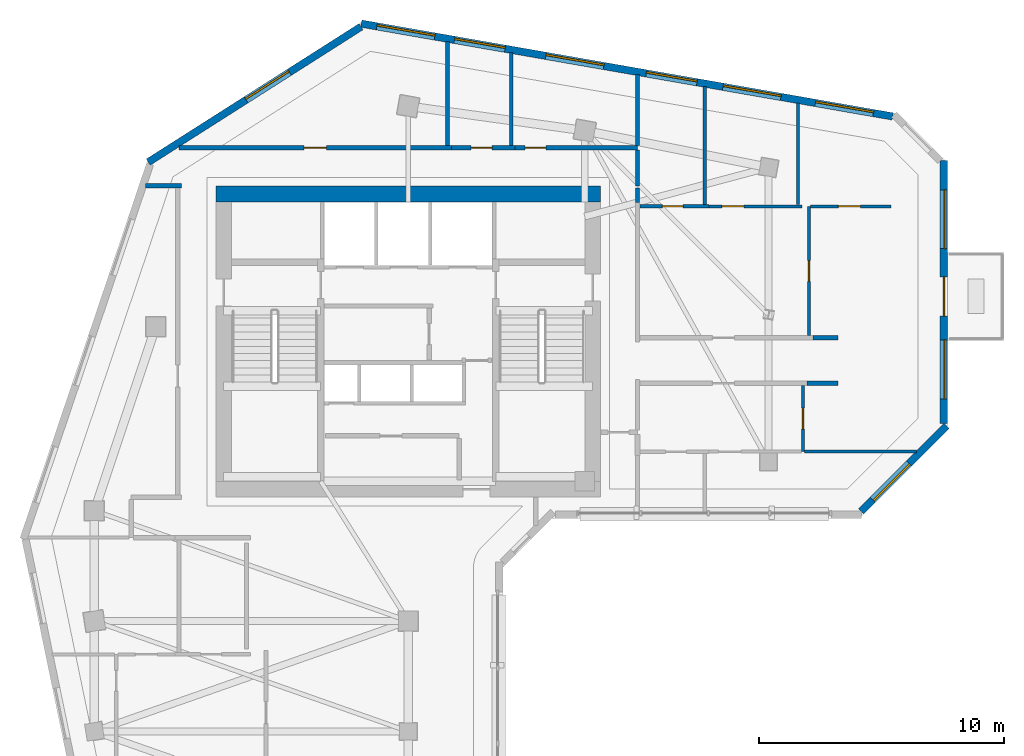
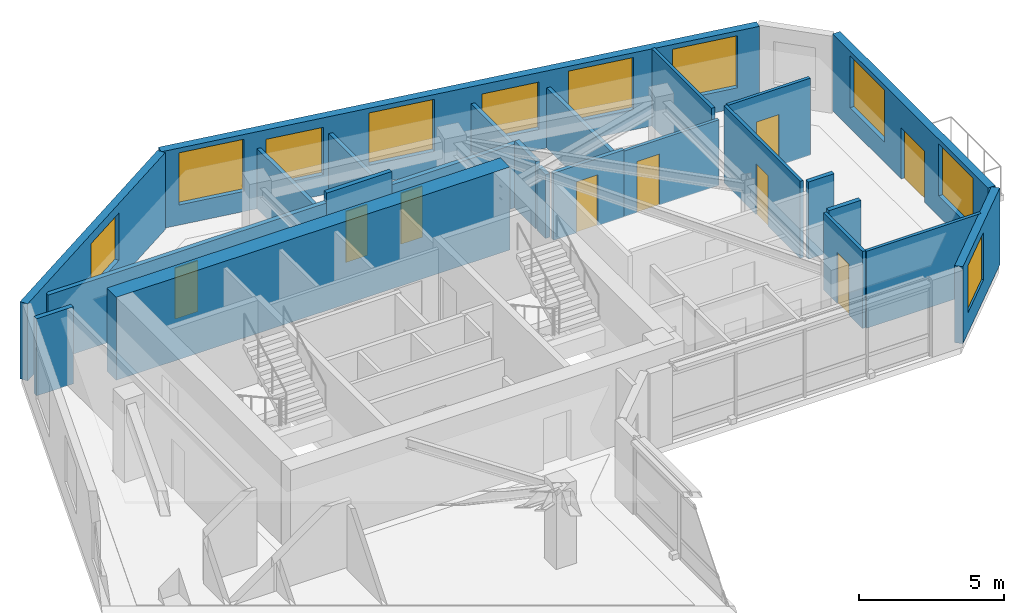
# One storey, part 6 of 10: 24 walls, 10 windows, 9 doors, 19 openings.
"""IFC4 building model written with IfcOpenShell, lengths in metres."""

from ifc_helpers import new_model, si_unit, direction, frame, frame_2d, origin, place, context, subcontext, project, spatial, rectangle, extrude, source, transform, mapped, material, layer, layer_set, type_object, element, fill, save


model = new_model("IFC4")

# Units and contexts
model_context = context("Model", 3, precision=1e-05, world=origin(), true_north=direction((0.0, 1.0)))
body_context = subcontext(model_context, "Body", "Model", "MODEL_VIEW")
ifc_project = project(units=[si_unit("LENGTHUNIT", "METRE"), si_unit("AREAUNIT", "SQUARE_METRE"), si_unit("VOLUMEUNIT", "CUBIC_METRE"), si_unit("PLANEANGLEUNIT", "RADIAN"), si_unit("MASSUNIT", "GRAM", prefix="KILO")], contexts=[model_context])

# Site, building, storey
site_placement = place(None, origin())
site = spatial("IfcSite", under=ifc_project, at=site_placement, CompositionType="ELEMENT")
building_placement = place(site_placement, origin())
building = spatial("IfcBuilding", under=site, at=building_placement, Name="Calvemar Wedge Station Tower", CompositionType="ELEMENT")
storey_placement = place(building_placement, frame((0.0, 0.0, 214.89990234375)))
storey = spatial("IfcBuildingStorey", under=building, at=storey_placement, Name="L54", CompositionType="ELEMENT", Elevation=214.89990234375)

# Walls
ifc_material_1 = material(Name="Concrete C60", Category="concrete")
ifc_layer_1 = layer(ifc_material_1, 0.64990234375)
ifc_layer_set_1 = layer_set([ifc_layer_1], Name="Concrete C60")
wall_type_1 = type_object("IfcWallType", Name="SW-CORE-650", PredefinedType="SHEAR", material=ifc_layer_set_1)
wall_1_placement = place(storey_placement, frame((15.949951171875, 45.925048828125, 0.0), z_axis=(0.0, 0.0, 1.0), x_axis=(1.0, 0.0, 0.0)))
element("IfcWall", 1, at=wall_1_placement, inside=storey, type_object=wall_type_1, Name="Storey L54 Core Shear Wall N", PredefinedType="SHEAR", context=body_context, shape_type="SweptSolid", body=[
    extrude(rectangle(XDim=15.699951171875, YDim=0.64990234375, at=frame_2d((7.85009765625, 0.0))), origin(), (0.0, 0.0, 1.0), 3.5),
])
ifc_material_2 = material(Name="Double-stud fire-rated corridor partition")
ifc_layer_2 = layer(ifc_material_2, 0.179931640625)
ifc_layer_set_2 = layer_set([ifc_layer_2], Name="Double-stud fire-rated corridor partition")
wall_type_2 = type_object("IfcWallType", Name="W-CORR-180", PredefinedType="PARTITIONING", material=ifc_layer_set_2)
wall_2_placement = place(storey_placement, frame((14.56005859375, 46.25, 0.0), z_axis=(0.0, 0.0, 1.0), x_axis=(-1.0, 0.0, 0.0)))
element("IfcWall", 2, at=wall_2_placement, inside=storey, type_object=wall_type_2, Name="Storey L54 Interior Partition WL-L54-012", PredefinedType="PARTITIONING", context=body_context, shape_type="SweptSolid", body=[
    extrude(rectangle(XDim=1.46875, YDim=0.179931640625, at=frame_2d((0.734375, 0.0))), origin(), (0.0, 0.0, 1.0), 3.25),
])

# Wall, opening, door
wall_3_placement = place(storey_placement, frame((14.45263671875, 47.800048828125, 0.0), z_axis=(0.0, 0.0, 1.0), x_axis=(1.0, 0.0, 0.0)))
wall_3 = element("IfcWall", 3, at=wall_3_placement, inside=storey, type_object=wall_type_2, Name="Storey L54 Interior Partition WL-L54-013", PredefinedType="PARTITIONING", context=body_context, shape_type="SweptSolid", body=[
    extrude(rectangle(XDim=11.107421875, YDim=0.179931640625, at=frame_2d((5.5537109375, 0.0))), origin(), (0.0, 0.0, 1.0), 2.835205078125),
])
shared_shape_1 = source(origin(), body_context, "Body", "SweptSolid", [
    extrude(rectangle(XDim=0.89990234375, YDim=2.14990234375, at=frame_2d((0.449951171875, 1.074951171875))), frame((0.0, 0.10009765625, 0.0), z_axis=(0.0, -1.0, 0.0), x_axis=(1.0, 0.0, 0.0)), (0.0, 0.0, 1.0), 0.199951171875),
])
opening_1_placement = place(wall_3_placement, frame((5.103759765625, 0.0, 0.0)))
opening_1 = element("IfcOpeningElement", 4, at=opening_1_placement, cuts=wall_3, Name="Opening D-01", PredefinedType="OPENING", context=body_context, shape_type="MappedRepresentation", body=[
    mapped(shared_shape_1, transform((0.0, 0.0, 0.0), scale=1.0)),
])
ifc_material_3 = material(Name="Architectural hardwood acoustic swing door", Category="wood")
door_type_1 = type_object("IfcDoorType", Name="DR-INT-900", OperationType="NOTDEFINED", PredefinedType="DOOR", material=ifc_material_3)
shared_shape_2 = source(origin(), body_context, "Body", "SweptSolid", [
    extrude(rectangle(XDim=0.89990234375, YDim=2.14990234375, at=frame_2d((0.449951171875, 1.074951171875))), frame((0.0, 0.02490234375, 0.0), z_axis=(0.0, -1.0, 0.0), x_axis=(1.0, 0.0, 0.0)), (0.0, 0.0, 1.0), 0.050048828125),
])
door_1_placement = place(opening_1_placement, origin())
door_1 = element("IfcDoor", 5, at=door_1_placement, inside=storey, type_object=door_type_1, Name="L54 Library Lounge Door", OperationType="SINGLE_SWING_LEFT", OverallHeight=2.14990234375, OverallWidth=0.89990234375, PredefinedType="DOOR", context=body_context, shape_type="MappedRepresentation", body=[
    mapped(shared_shape_2, transform((0.0, 0.0, 0.0), scale=1.0)),
])
fill(opening_1, door_1)

wall_4_placement = place(storey_placement, frame((25.56201171875, 47.800048828125, 0.0), z_axis=(0.0, 0.0, 1.0), x_axis=(1.0, 0.0, 0.0)))
wall_4 = element("IfcWall", 6, at=wall_4_placement, inside=storey, type_object=wall_type_2, Name="Storey L54 Interior Partition WL-L54-014", PredefinedType="PARTITIONING", context=body_context, shape_type="SweptSolid", body=[
    extrude(rectangle(XDim=2.597900390625, YDim=0.179931640625, at=frame_2d((1.298828125, 0.0))), origin(), (0.0, 0.0, 1.0), 3.25),
])
shared_shape_3 = source(origin(), body_context, "Body", "SweptSolid", [
    extrude(rectangle(XDim=0.85009765625, YDim=2.14990234375, at=frame_2d((0.425048828125, 1.074951171875))), frame((0.0, 0.10009765625, 0.0), z_axis=(0.0, -1.0, 0.0), x_axis=(1.0, 0.0, 0.0)), (0.0, 0.0, 1.0), 0.199951171875),
])
opening_2_placement = place(wall_4_placement, frame((0.80810546875, 0.0, 0.0)))
opening_2 = element("IfcOpeningElement", 7, at=opening_2_placement, cuts=wall_4, Name="Opening D-02", PredefinedType="OPENING", context=body_context, shape_type="MappedRepresentation", body=[
    mapped(shared_shape_3, transform((0.0, 0.0, 0.0), scale=1.0)),
])
ifc_material_4 = material(Name="Moisture-sealed bathroom hardwood swing door", Category="wood")
door_type_2 = type_object("IfcDoorType", Name="DR-WET-850", OperationType="NOTDEFINED", PredefinedType="DOOR", material=ifc_material_4)
shared_shape_4 = source(origin(), body_context, "Body", "SweptSolid", [
    extrude(rectangle(XDim=0.85009765625, YDim=2.14990234375, at=frame_2d((0.425048828125, 1.074951171875))), frame((0.0, 0.02490234375, 0.0), z_axis=(0.0, -1.0, 0.0), x_axis=(1.0, 0.0, 0.0)), (0.0, 0.0, 1.0), 0.050048828125),
])
door_2_placement = place(opening_2_placement, origin())
door_2 = element("IfcDoor", 8, at=door_2_placement, inside=storey, type_object=door_type_2, Name="L54 Accessible WC Door", OperationType="SINGLE_SWING_RIGHT", OverallHeight=2.14990234375, OverallWidth=0.85009765625, PredefinedType="DOOR", context=body_context, shape_type="MappedRepresentation", body=[
    mapped(shared_shape_4, transform((0.0, 0.0, 0.0), scale=1.0)),
])
fill(opening_2, door_2)

wall_5_placement = place(storey_placement, frame((28.162109375, 47.800048828125, 0.0), z_axis=(0.0, 0.0, 1.0), x_axis=(1.0, 0.0, 0.0)))
wall_5 = element("IfcWall", 9, at=wall_5_placement, inside=storey, type_object=wall_type_2, Name="Storey L54 Interior Partition WL-L54-015", PredefinedType="PARTITIONING", context=body_context, shape_type="SweptSolid", body=[
    extrude(rectangle(XDim=4.98779296875, YDim=0.179931640625, at=frame_2d((2.493896484375, 0.0))), origin(), (0.0, 0.0, 1.0), 2.68798828125),
])
opening_3_placement = place(wall_5_placement, frame((0.4033203125, 0.0, 0.0)))
opening_3 = element("IfcOpeningElement", 10, at=opening_3_placement, cuts=wall_5, Name="Opening D-02", PredefinedType="OPENING", context=body_context, shape_type="MappedRepresentation", body=[
    mapped(shared_shape_3, transform((0.0, 0.0, 0.0), scale=1.0)),
])
door_3_placement = place(opening_3_placement, origin())
door_3 = element("IfcDoor", 11, at=door_3_placement, inside=storey, type_object=door_type_2, Name="L54 Storage Room Door", OperationType="SINGLE_SWING_LEFT", OverallHeight=2.14990234375, OverallWidth=0.85009765625, PredefinedType="DOOR", context=body_context, shape_type="MappedRepresentation", body=[
    mapped(shared_shape_4, transform((0.0, 0.0, 0.0), scale=1.0)),
])
fill(opening_3, door_3)

# Walls
wall_6_placement = place(storey_placement, frame((33.14990234375, 47.7060546875, 0.0), z_axis=(0.0, 0.0, 1.0), x_axis=(0.0, -1.0, 0.0)))
element("IfcWall", 12, at=wall_6_placement, inside=storey, type_object=wall_type_2, Name="Storey L54 Interior Partition WL-L54-016", PredefinedType="PARTITIONING", context=body_context, shape_type="SweptSolid", body=[
    extrude(rectangle(XDim=1.4560546875, YDim=0.179931640625, at=frame_2d((0.72802734375, 0.0))), origin(), (0.0, 0.0, 1.0), 2.835205078125),
])
wall_7_placement = place(storey_placement, frame((33.14990234375, 46.156005859375, 0.0), z_axis=(0.0, 0.0, 1.0), x_axis=(0.0, -1.0, 0.0)))
element("IfcWall", 13, at=wall_7_placement, inside=storey, type_object=wall_type_2, Name="Storey L54 Interior Partition WL-L54-019", PredefinedType="PARTITIONING", context=body_context, shape_type="SweptSolid", body=[
    extrude(rectangle(XDim=0.576904296875, YDim=0.179931640625, at=frame_2d((0.28857421875, 0.0))), origin(), (0.0, 0.0, 1.0), 2.68798828125),
])
wall_8_placement = place(storey_placement, frame((40.30810546875, 40.050048828125, 0.0), z_axis=(0.0, 0.0, 1.0), x_axis=(1.0, 0.0, 0.0)))
element("IfcWall", 14, at=wall_8_placement, inside=storey, type_object=wall_type_2, Name="Storey L54 Interior Partition WL-L54-026", PredefinedType="PARTITIONING", context=body_context, shape_type="SweptSolid", body=[
    extrude(rectangle(XDim=1.02685546875, YDim=0.179931640625, at=frame_2d((0.513427734375, 0.0))), origin(), (0.0, 0.0, 1.0), 3.25),
])
wall_9_placement = place(storey_placement, frame((41.3349609375, 38.199951171875, 0.0), z_axis=(0.0, 0.0, 1.0), x_axis=(-1.0, 0.0, 0.0)))
element("IfcWall", 15, at=wall_9_placement, inside=storey, type_object=wall_type_2, Name="Storey L54 Interior Partition WL-L54-028", PredefinedType="PARTITIONING", context=body_context, shape_type="SweptSolid", body=[
    extrude(rectangle(XDim=1.27294921875, YDim=0.179931640625, at=frame_2d((0.636474609375, 0.0))), origin(), (0.0, 0.0, 1.0), 3.25),
])

# Wall, opening, window
ifc_material_5 = material(Name="Precast concrete C45", Category="concrete")
ifc_layer_3 = layer(ifc_material_5, 0.300048828125)
ifc_layer_set_3 = layer_set([ifc_layer_3], Name="Precast concrete C45")
wall_type_3 = type_object("IfcWallType", Name="W-EXT-GFRC-300", PredefinedType="SOLIDWALL", material=ifc_layer_set_3)
wall_10_placement = place(storey_placement, frame((42.27587890625, 32.97998046875, 0.0), z_axis=(0.0, 0.0, 1.0), x_axis=(0.707106781187, 0.707106781187, 0.0)))
wall_10 = element("IfcWall", 16, at=wall_10_placement, inside=storey, type_object=wall_type_3, Name="Storey L54 Bronze GFRC Exterior Wall 7", PredefinedType="SOLIDWALL", context=body_context, shape_type="SweptSolid", body=[
    extrude(rectangle(XDim=4.921875, YDim=0.300048828125, at=frame_2d((2.4609375, 0.0))), origin(), (0.0, 0.0, 1.0), 3.25),
])
shared_shape_5 = source(origin(), body_context, "Body", "SweptSolid", [
    extrude(rectangle(XDim=2.10009765625, YDim=2.0, at=frame_2d((1.050048828125, 1.0))), frame((0.0, 0.16015625, 0.0), z_axis=(0.0, -1.0, 0.0), x_axis=(1.0, 0.0, 0.0)), (0.0, 0.0, 1.0), 0.320068359375),
])
opening_4_placement = place(wall_10_placement, frame((0.658935546875, 0.0, 0.85009765625)))
opening_4 = element("IfcOpeningElement", 17, at=opening_4_placement, cuts=wall_10, Name="Opening W4", PredefinedType="OPENING", context=body_context, shape_type="MappedRepresentation", body=[
    mapped(shared_shape_5, transform((0.0, 0.0, 0.0), scale=1.0)),
])
ifc_material_6 = material(Name="Low-E laminated insulated glass", Category="glass")
window_type_1 = type_object("IfcWindowType", Name="WIN-EXT-4", PartitioningType="SINGLE_PANEL", PredefinedType="WINDOW", material=ifc_material_6)
shared_shape_6 = source(origin(), body_context, "Body", "SweptSolid", [
    extrude(rectangle(XDim=2.10009765625, YDim=2.0, at=frame_2d((1.050048828125, 1.0))), frame((0.0, -0.014892578125, 0.0), z_axis=(0.0, -1.0, 0.0), x_axis=(1.0, 0.0, 0.0)), (0.0, 0.0, 1.0), 0.06005859375),
])
window_1_placement = place(opening_4_placement, origin())
window_1 = element("IfcWindow", 18, at=window_1_placement, inside=storey, type_object=window_type_1, Name="Storey L54 Recessed Window 7.1", OverallHeight=2.0, OverallWidth=2.10009765625, PartitioningType="SINGLE_PANEL", PredefinedType="WINDOW", context=body_context, shape_type="MappedRepresentation", body=[
    mapped(shared_shape_6, transform((0.0, 0.0, 0.0), scale=1.0)),
])
fill(opening_4, window_1)

# Wall, openings, windows, door
wall_11_placement = place(storey_placement, frame((45.64990234375, 36.54931640625, 0.0), z_axis=(0.0, 0.0, 1.0), x_axis=(0.0, 1.0, 0.0)))
wall_11 = element("IfcWall", 19, at=wall_11_placement, inside=storey, type_object=wall_type_3, Name="Storey L54 Bronze GFRC Exterior Wall 8", PredefinedType="SOLIDWALL", context=body_context, shape_type="SweptSolid", body=[
    extrude(rectangle(XDim=10.73046875, YDim=0.300048828125, at=frame_2d((5.365234375, 0.0))), origin(), (0.0, 0.0, 1.0), 3.25),
])
shared_shape_7 = source(origin(), body_context, "Body", "SweptSolid", [
    extrude(rectangle(XDim=1.60009765625, YDim=2.14990234375, at=frame_2d((0.800048828125, 1.074951171875))), frame((0.0, 0.16015625, 0.0), z_axis=(0.0, -1.0, 0.0), x_axis=(1.0, 0.0, 0.0)), (0.0, 0.0, 1.0), 0.320068359375),
])
opening_5_placement = place(wall_11_placement, frame((4.39306640625, 0.0, 0.0)))
opening_5 = element("IfcOpeningElement", 20, at=opening_5_placement, cuts=wall_11, Name="Opening DT1", PredefinedType="OPENING", context=body_context, shape_type="MappedRepresentation", body=[
    mapped(shared_shape_7, transform((0.0, 0.0, 0.0), scale=1.0)),
])
shared_shape_8 = source(origin(), body_context, "Body", "SweptSolid", [
    extrude(rectangle(XDim=2.39990234375, YDim=2.199951171875, at=frame_2d((1.199951171875, 1.10009765625))), frame((0.0, 0.16015625, 0.0), z_axis=(0.0, -1.0, 0.0), x_axis=(1.0, 0.0, 0.0)), (0.0, 0.0, 1.0), 0.320068359375),
])
opening_6_placement = place(wall_11_placement, frame((1.01611328125, 0.0, 0.85009765625)))
opening_6 = element("IfcOpeningElement", 21, at=opening_6_placement, cuts=wall_11, Name="Opening W1", PredefinedType="OPENING", context=body_context, shape_type="MappedRepresentation", body=[
    mapped(shared_shape_8, transform((0.0, 0.0, 0.0), scale=1.0)),
])
opening_7_placement = place(wall_11_placement, frame((7.14208984375, 0.0, 0.85009765625)))
opening_7 = element("IfcOpeningElement", 22, at=opening_7_placement, cuts=wall_11, Name="Opening W1", PredefinedType="OPENING", context=body_context, shape_type="MappedRepresentation", body=[
    mapped(shared_shape_8, transform((0.0, 0.0, 0.0), scale=1.0)),
])
window_type_2 = type_object("IfcWindowType", Name="WIN-EXT-1", PartitioningType="SINGLE_PANEL", PredefinedType="WINDOW", material=ifc_material_6)
shared_shape_9 = source(origin(), body_context, "Body", "SweptSolid", [
    extrude(rectangle(XDim=2.39990234375, YDim=2.199951171875, at=frame_2d((1.199951171875, 1.10009765625))), frame((0.0, -0.014892578125, 0.0), z_axis=(0.0, -1.0, 0.0), x_axis=(1.0, 0.0, 0.0)), (0.0, 0.0, 1.0), 0.06005859375),
])
window_2_placement = place(opening_6_placement, origin())
window_2 = element("IfcWindow", 23, at=window_2_placement, inside=storey, type_object=window_type_2, Name="Storey L54 Recessed Window 8.1", OverallHeight=2.199951171875, OverallWidth=2.39990234375, PartitioningType="SINGLE_PANEL", PredefinedType="WINDOW", context=body_context, shape_type="MappedRepresentation", body=[
    mapped(shared_shape_9, transform((0.0, 0.0, 0.0), scale=1.0)),
])
fill(opening_6, window_2)
window_3_placement = place(opening_7_placement, origin())
window_3 = element("IfcWindow", 24, at=window_3_placement, inside=storey, type_object=window_type_2, Name="Storey L54 Recessed Window 8.2", OverallHeight=2.199951171875, OverallWidth=2.39990234375, PartitioningType="SINGLE_PANEL", PredefinedType="WINDOW", context=body_context, shape_type="MappedRepresentation", body=[
    mapped(shared_shape_9, transform((0.0, 0.0, 0.0), scale=1.0)),
])
fill(opening_7, window_3)
ifc_material_7 = material(Name="Anodised aluminium 6063-T6", Category="aluminium")
door_type_3 = type_object("IfcDoorType", Name="DR-TERR-1600", OperationType="DOUBLE_DOOR_SLIDING", PredefinedType="DOOR", material=ifc_material_7)
shared_shape_10 = source(origin(), body_context, "Body", "SweptSolid", [
    extrude(rectangle(XDim=1.60009765625, YDim=2.14990234375, at=frame_2d((0.800048828125, 1.074951171875))), frame((0.0, 0.02490234375, 0.0), z_axis=(0.0, -1.0, 0.0), x_axis=(1.0, 0.0, 0.0)), (0.0, 0.0, 1.0), 0.050048828125),
])
door_4_placement = place(opening_5_placement, origin())
door_4 = element("IfcDoor", 25, at=door_4_placement, inside=storey, type_object=door_type_3, Name="Storey L54 Spiral Terrace Door", OperationType="DOUBLE_DOOR_SLIDING", OverallHeight=2.14990234375, OverallWidth=1.60009765625, PredefinedType="DOOR", context=body_context, shape_type="MappedRepresentation", body=[
    mapped(shared_shape_10, transform((0.0, 0.0, 0.0), scale=1.0)),
])
fill(opening_5, door_4)

# Wall, openings, windows
wall_12_placement = place(storey_placement, frame((43.561279296875, 49.081298828125, 0.0), z_axis=(0.0, 0.0, 1.0), x_axis=(-0.985083967494, 0.17207433564, 0.0)))
wall_12 = element("IfcWall", 26, at=wall_12_placement, inside=storey, type_object=wall_type_3, Name="Storey L54 Bronze GFRC Exterior Wall 10", PredefinedType="SOLIDWALL", context=body_context, shape_type="SweptSolid", body=[
    extrude(rectangle(XDim=22.005615234375, YDim=0.300048828125, at=frame_2d((11.0029296875, 0.0))), origin(), (0.0, 0.0, 1.0), 3.25),
])
opening_8_placement = place(wall_12_placement, frame((0.800048828125, 0.0, 0.85009765625)))
opening_8 = element("IfcOpeningElement", 27, at=opening_8_placement, cuts=wall_12, Name="Opening W1", PredefinedType="OPENING", context=body_context, shape_type="MappedRepresentation", body=[
    mapped(shared_shape_8, transform((0.0, 0.0, 0.0), scale=1.0)),
])
opening_9_placement = place(wall_12_placement, frame((4.6279296875, 0.0, 0.85009765625)))
opening_9 = element("IfcOpeningElement", 28, at=opening_9_placement, cuts=wall_12, Name="Opening W1", PredefinedType="OPENING", context=body_context, shape_type="MappedRepresentation", body=[
    mapped(shared_shape_8, transform((0.0, 0.0, 0.0), scale=1.0)),
])
opening_10_placement = place(wall_12_placement, frame((8.10302734375, 0.0, 0.85009765625)))
opening_10 = element("IfcOpeningElement", 29, at=opening_10_placement, cuts=wall_12, Name="Opening W4", PredefinedType="OPENING", context=body_context, shape_type="MappedRepresentation", body=[
    mapped(shared_shape_5, transform((0.0, 0.0, 0.0), scale=1.0)),
])
opening_11_placement = place(wall_12_placement, frame((11.962890625, 0.0, 0.85009765625)))
opening_11 = element("IfcOpeningElement", 30, at=opening_11_placement, cuts=wall_12, Name="Opening W1", PredefinedType="OPENING", context=body_context, shape_type="MappedRepresentation", body=[
    mapped(shared_shape_8, transform((0.0, 0.0, 0.0), scale=1.0)),
])
opening_12_placement = place(wall_12_placement, frame((16.047119140625, 0.0, 0.85009765625)))
opening_12 = element("IfcOpeningElement", 31, at=opening_12_placement, cuts=wall_12, Name="Opening W4", PredefinedType="OPENING", context=body_context, shape_type="MappedRepresentation", body=[
    mapped(shared_shape_5, transform((0.0, 0.0, 0.0), scale=1.0)),
])
opening_13_placement = place(wall_12_placement, frame((18.9609375, 0.0, 0.85009765625)))
opening_13 = element("IfcOpeningElement", 32, at=opening_13_placement, cuts=wall_12, Name="Opening W1", PredefinedType="OPENING", context=body_context, shape_type="MappedRepresentation", body=[
    mapped(shared_shape_8, transform((0.0, 0.0, 0.0), scale=1.0)),
])
window_4_placement = place(opening_10_placement, origin())
window_4 = element("IfcWindow", 33, at=window_4_placement, inside=storey, type_object=window_type_1, Name="Storey L54 Recessed Window 10.3", OverallHeight=2.0, OverallWidth=2.10009765625, PartitioningType="SINGLE_PANEL", PredefinedType="WINDOW", context=body_context, shape_type="MappedRepresentation", body=[
    mapped(shared_shape_6, transform((0.0, 0.0, 0.0), scale=1.0)),
])
fill(opening_10, window_4)
window_5_placement = place(opening_12_placement, origin())
window_5 = element("IfcWindow", 34, at=window_5_placement, inside=storey, type_object=window_type_1, Name="Storey L54 Recessed Window 10.5", OverallHeight=2.0, OverallWidth=2.10009765625, PartitioningType="SINGLE_PANEL", PredefinedType="WINDOW", context=body_context, shape_type="MappedRepresentation", body=[
    mapped(shared_shape_6, transform((0.0, 0.0, 0.0), scale=1.0)),
])
fill(opening_12, window_5)
window_6_placement = place(opening_8_placement, origin())
window_6 = element("IfcWindow", 35, at=window_6_placement, inside=storey, type_object=window_type_2, Name="Storey L54 Recessed Window 10.1", OverallHeight=2.199951171875, OverallWidth=2.39990234375, PartitioningType="SINGLE_PANEL", PredefinedType="WINDOW", context=body_context, shape_type="MappedRepresentation", body=[
    mapped(shared_shape_9, transform((0.0, 0.0, 0.0), scale=1.0)),
])
fill(opening_8, window_6)
window_7_placement = place(opening_9_placement, origin())
window_7 = element("IfcWindow", 36, at=window_7_placement, inside=storey, type_object=window_type_2, Name="Storey L54 Recessed Window 10.2", OverallHeight=2.199951171875, OverallWidth=2.39990234375, PartitioningType="SINGLE_PANEL", PredefinedType="WINDOW", context=body_context, shape_type="MappedRepresentation", body=[
    mapped(shared_shape_9, transform((0.0, 0.0, 0.0), scale=1.0)),
])
fill(opening_9, window_7)
window_8_placement = place(opening_11_placement, origin())
window_8 = element("IfcWindow", 37, at=window_8_placement, inside=storey, type_object=window_type_2, Name="Storey L54 Recessed Window 10.4", OverallHeight=2.199951171875, OverallWidth=2.39990234375, PartitioningType="SINGLE_PANEL", PredefinedType="WINDOW", context=body_context, shape_type="MappedRepresentation", body=[
    mapped(shared_shape_9, transform((0.0, 0.0, 0.0), scale=1.0)),
])
fill(opening_11, window_8)
window_9_placement = place(opening_13_placement, origin())
window_9 = element("IfcWindow", 38, at=window_9_placement, inside=storey, type_object=window_type_2, Name="Storey L54 Recessed Window 10.6", OverallHeight=2.199951171875, OverallWidth=2.39990234375, PartitioningType="SINGLE_PANEL", PredefinedType="WINDOW", context=body_context, shape_type="MappedRepresentation", body=[
    mapped(shared_shape_9, transform((0.0, 0.0, 0.0), scale=1.0)),
])
fill(opening_13, window_9)

# Wall, opening, window
wall_13_placement = place(storey_placement, frame((21.873779296875, 52.741943359375, 0.0), z_axis=(0.0, 0.0, 1.0), x_axis=(-0.84365659959, -0.536883173482, 0.0)))
wall_13 = element("IfcWall", 39, at=wall_13_placement, inside=storey, type_object=wall_type_3, Name="Storey L54 Bronze GFRC Exterior Wall 11", PredefinedType="SOLIDWALL", context=body_context, shape_type="SweptSolid", body=[
    extrude(rectangle(XDim=10.282958984375, YDim=0.300048828125, at=frame_2d((5.1416015625, 0.0))), origin(), (0.0, 0.0, 1.0), 3.25),
])
opening_14_placement = place(wall_13_placement, frame((3.45703125, 0.0, 0.85009765625)))
opening_14 = element("IfcOpeningElement", 40, at=opening_14_placement, cuts=wall_13, Name="Opening W4", PredefinedType="OPENING", context=body_context, shape_type="MappedRepresentation", body=[
    mapped(shared_shape_5, transform((0.0, 0.0, 0.0), scale=1.0)),
])
window_10_placement = place(opening_14_placement, origin())
window_10 = element("IfcWindow", 41, at=window_10_placement, inside=storey, type_object=window_type_1, Name="Storey L54 Recessed Window 11.1", OverallHeight=2.0, OverallWidth=2.10009765625, PartitioningType="SINGLE_PANEL", PredefinedType="WINDOW", context=body_context, shape_type="MappedRepresentation", body=[
    mapped(shared_shape_6, transform((0.0, 0.0, 0.0), scale=1.0)),
])
fill(opening_14, window_10)

# Wall, opening, door
ifc_material_8 = material(Name="Insulated acoustic gypsum stud partition")
ifc_layer_4 = layer(ifc_material_8, 0.125)
ifc_layer_set_4 = layer_set([ifc_layer_4], Name="Insulated acoustic gypsum stud partition")
wall_type_4 = type_object("IfcWallType", Name="W-PART-125", PredefinedType="PARTITIONING", material=ifc_layer_set_4)
wall_14_placement = place(storey_placement, frame((40.14599609375, 45.4169921875, 0.0), z_axis=(0.0, 0.0, 1.0), x_axis=(0.0, -1.0, 0.0)))
wall_14 = element("IfcWall", 42, at=wall_14_placement, inside=storey, type_object=wall_type_4, Name="Storey L54 Interior Partition WL-L54-031", PredefinedType="PARTITIONING", context=body_context, shape_type="SweptSolid", body=[
    extrude(rectangle(XDim=5.27294921875, YDim=0.125, at=frame_2d((2.636474609375, 0.0))), origin(), (0.0, 0.0, 1.0), 3.25),
])
shared_shape_11 = source(origin(), body_context, "Body", "SweptSolid", [
    extrude(rectangle(XDim=0.85009765625, YDim=2.14990234375, at=frame_2d((0.425048828125, 1.074951171875))), frame((0.0, 0.072509765625, 0.0), z_axis=(0.0, -1.0, 0.0), x_axis=(1.0, 0.0, 0.0)), (0.0, 0.0, 1.0), 0.14501953125),
])
opening_15_placement = place(wall_14_placement, frame((2.21142578125, 0.0, 0.0)))
opening_15 = element("IfcOpeningElement", 43, at=opening_15_placement, cuts=wall_14, Name="Opening D-02", PredefinedType="OPENING", context=body_context, shape_type="MappedRepresentation", body=[
    mapped(shared_shape_11, transform((0.0, 0.0, 0.0), scale=1.0)),
])
door_5_placement = place(opening_15_placement, origin())
door_5 = element("IfcDoor", 44, at=door_5_placement, inside=storey, type_object=door_type_2, Name="L54 Kitchen Door", OperationType="SINGLE_SWING_RIGHT", OverallHeight=2.14990234375, OverallWidth=0.85009765625, PredefinedType="DOOR", context=body_context, shape_type="MappedRepresentation", body=[
    mapped(shared_shape_4, transform((0.0, 0.0, 0.0), scale=1.0)),
])
fill(opening_15, door_5)

wall_15_placement = place(storey_placement, frame((36.06201171875, 45.4169921875, 0.0), z_axis=(0.0, 0.0, 1.0), x_axis=(1.0, 0.0, 0.0)))
wall_15 = element("IfcWall", 45, at=wall_15_placement, inside=storey, type_object=wall_type_4, Name="Storey L54 Interior Partition WL-L54-033", PredefinedType="PARTITIONING", context=body_context, shape_type="SweptSolid", body=[
    extrude(rectangle(XDim=3.798095703125, YDim=0.125, at=frame_2d((1.89892578125, 0.0))), origin(), (0.0, 0.0, 1.0), 2.76611328125),
])
shared_shape_12 = source(origin(), body_context, "Body", "SweptSolid", [
    extrude(rectangle(XDim=0.89990234375, YDim=2.14990234375, at=frame_2d((0.449951171875, 1.074951171875))), frame((0.0, 0.072509765625, 0.0), z_axis=(0.0, -1.0, 0.0), x_axis=(1.0, 0.0, 0.0)), (0.0, 0.0, 1.0), 0.14501953125),
])
opening_16_placement = place(wall_15_placement, frame((0.526123046875, 0.0, 0.0)))
opening_16 = element("IfcOpeningElement", 46, at=opening_16_placement, cuts=wall_15, Name="Opening D-01", PredefinedType="OPENING", context=body_context, shape_type="MappedRepresentation", body=[
    mapped(shared_shape_12, transform((0.0, 0.0, 0.0), scale=1.0)),
])
door_6_placement = place(opening_16_placement, origin())
door_6 = element("IfcDoor", 47, at=door_6_placement, inside=storey, type_object=door_type_1, Name="L54 Master Bedroom Door", OperationType="SINGLE_SWING_RIGHT", OverallHeight=2.14990234375, OverallWidth=0.89990234375, PredefinedType="DOOR", context=body_context, shape_type="MappedRepresentation", body=[
    mapped(shared_shape_2, transform((0.0, 0.0, 0.0), scale=1.0)),
])
fill(opening_16, door_6)

wall_16_placement = place(storey_placement, frame((40.21240234375, 45.4169921875, 0.0), z_axis=(0.0, 0.0, 1.0), x_axis=(1.0, 0.0, 0.0)))
wall_16 = element("IfcWall", 48, at=wall_16_placement, inside=storey, type_object=wall_type_4, Name="Storey L54 Interior Partition WL-L54-034", PredefinedType="PARTITIONING", context=body_context, shape_type="SweptSolid", body=[
    extrude(rectangle(XDim=3.28759765625, YDim=0.125, at=frame_2d((1.643798828125, 0.0))), origin(), (0.0, 0.0, 1.0), 3.25),
])
opening_17_placement = place(wall_16_placement, frame((1.1328125, 0.0, 0.0)))
opening_17 = element("IfcOpeningElement", 49, at=opening_17_placement, cuts=wall_16, Name="Opening D-01", PredefinedType="OPENING", context=body_context, shape_type="MappedRepresentation", body=[
    mapped(shared_shape_12, transform((0.0, 0.0, 0.0), scale=1.0)),
])
door_7_placement = place(opening_17_placement, origin())
door_7 = element("IfcDoor", 50, at=door_7_placement, inside=storey, type_object=door_type_1, Name="L54 Master Bedroom Door", OperationType="SINGLE_SWING_LEFT", OverallHeight=2.14990234375, OverallWidth=0.89990234375, PredefinedType="DOOR", context=body_context, shape_type="MappedRepresentation", body=[
    mapped(shared_shape_2, transform((0.0, 0.0, 0.0), scale=1.0)),
])
fill(opening_17, door_7)

# Wall
wall_17_placement = place(storey_placement, frame((39.699951171875, 49.63916015625, 0.0), z_axis=(0.0, 0.0, 1.0), x_axis=(0.0, -1.0, 0.0)))
element("IfcWall", 51, at=wall_17_placement, inside=storey, type_object=wall_type_4, Name="Storey L54 Interior Partition WL-L54-036", PredefinedType="PARTITIONING", context=body_context, shape_type="SweptSolid", body=[
    extrude(rectangle(XDim=4.15576171875, YDim=0.125, at=frame_2d((2.077880859375, 0.0))), origin(), (0.0, 0.0, 1.0), 3.25),
])

# Wall, opening, door
wall_18_placement = place(storey_placement, frame((39.89990234375, 38.10595703125, 0.0), z_axis=(0.0, 0.0, 1.0), x_axis=(0.0, -1.0, 0.0)))
wall_18 = element("IfcWall", 52, at=wall_18_placement, inside=storey, type_object=wall_type_4, Name="Storey L54 Interior Partition WL-L54-037", PredefinedType="PARTITIONING", context=body_context, shape_type="SweptSolid", body=[
    extrude(rectangle(XDim=2.698974609375, YDim=0.125, at=frame_2d((1.349609375, 0.0))), origin(), (0.0, 0.0, 1.0), 3.25),
])
opening_18_placement = place(wall_18_placement, frame((0.924560546875, 0.0, 0.0)))
opening_18 = element("IfcOpeningElement", 53, at=opening_18_placement, cuts=wall_18, Name="Opening D-02", PredefinedType="OPENING", context=body_context, shape_type="MappedRepresentation", body=[
    mapped(shared_shape_11, transform((0.0, 0.0, 0.0), scale=1.0)),
])
door_8_placement = place(opening_18_placement, origin())
door_8 = element("IfcDoor", 54, at=door_8_placement, inside=storey, type_object=door_type_2, Name="L54 Kitchen Door", OperationType="SINGLE_SWING_LEFT", OverallHeight=2.14990234375, OverallWidth=0.85009765625, PredefinedType="DOOR", context=body_context, shape_type="MappedRepresentation", body=[
    mapped(shared_shape_4, transform((0.0, 0.0, 0.0), scale=1.0)),
])
fill(opening_18, door_8)

# Walls
wall_19_placement = place(storey_placement, frame((44.540283203125, 35.406982421875, 0.0), z_axis=(0.0, 0.0, 1.0), x_axis=(-1.0, 0.0, 0.0)))
element("IfcWall", 55, at=wall_19_placement, inside=storey, type_object=wall_type_4, Name="Storey L54 Interior Partition WL-L54-040", PredefinedType="PARTITIONING", context=body_context, shape_type="SweptSolid", body=[
    extrude(rectangle(XDim=4.57373046875, YDim=0.125, at=frame_2d((2.286865234375, 0.0))), origin(), (0.0, 0.0, 1.0), 3.25),
])
ifc_material_9 = material(Name="Moisture-resistant acoustic bathroom partition")
ifc_layer_5 = layer(ifc_material_9, 0.14990234375)
ifc_layer_set_5 = layer_set([ifc_layer_5], Name="Moisture-resistant acoustic bathroom partition")
wall_type_5 = type_object("IfcWallType", Name="W-WET-150", PredefinedType="PARTITIONING", material=ifc_layer_set_5)
wall_20_placement = place(storey_placement, frame((25.39990234375, 52.13720703125, 0.0), z_axis=(0.0, 0.0, 1.0), x_axis=(0.0, -1.0, 0.0)))
element("IfcWall", 56, at=wall_20_placement, inside=storey, type_object=wall_type_5, Name="Storey L54 Interior Partition WL-L54-022", PredefinedType="PARTITIONING", context=body_context, shape_type="SweptSolid", body=[
    extrude(rectangle(XDim=4.2431640625, YDim=0.14990234375, at=frame_2d((2.12158203125, 0.0))), origin(), (0.0, 0.0, 1.0), 2.5419921875),
])
wall_21_placement = place(storey_placement, frame((28.0, 51.682861328125, 0.0), z_axis=(0.0, 0.0, 1.0), x_axis=(0.0, -1.0, 0.0)))
element("IfcWall", 57, at=wall_21_placement, inside=storey, type_object=wall_type_5, Name="Storey L54 Interior Partition WL-L54-023", PredefinedType="PARTITIONING", context=body_context, shape_type="SweptSolid", body=[
    extrude(rectangle(XDim=3.788818359375, YDim=0.14990234375, at=frame_2d((1.89453125, 0.0))), origin(), (0.0, 0.0, 1.0), 2.5419921875),
])
wall_22_placement = place(storey_placement, frame((33.14990234375, 50.783203125, 0.0), z_axis=(0.0, 0.0, 1.0), x_axis=(0.0, -1.0, 0.0)))
element("IfcWall", 58, at=wall_22_placement, inside=storey, type_object=wall_type_5, Name="Storey L54 Interior Partition WL-L54-024", PredefinedType="PARTITIONING", context=body_context, shape_type="SweptSolid", body=[
    extrude(rectangle(XDim=2.88916015625, YDim=0.14990234375, at=frame_2d((1.444580078125, 0.0))), origin(), (0.0, 0.0, 1.0), 2.5419921875),
])

# Wall, opening, door
wall_23_placement = place(storey_placement, frame((33.243896484375, 45.4169921875, 0.0), z_axis=(0.0, 0.0, 1.0), x_axis=(1.0, 0.0, 0.0)))
wall_23 = element("IfcWall", 59, at=wall_23_placement, inside=storey, type_object=wall_type_5, Name="Storey L54 Interior Partition WL-L54-032", PredefinedType="PARTITIONING", context=body_context, shape_type="SweptSolid", body=[
    extrude(rectangle(XDim=2.816162109375, YDim=0.14990234375, at=frame_2d((1.408203125, 0.0))), origin(), (0.0, 0.0, 1.0), 2.835205078125),
])
shared_shape_13 = source(origin(), body_context, "Body", "SweptSolid", [
    extrude(rectangle(XDim=0.85009765625, YDim=2.14990234375, at=frame_2d((0.425048828125, 1.074951171875))), frame((0.0, 0.0849609375, 0.0), z_axis=(0.0, -1.0, 0.0), x_axis=(1.0, 0.0, 0.0)), (0.0, 0.0, 1.0), 0.169921875),
])
opening_19_placement = place(wall_23_placement, frame((0.919189453125, 0.0, 0.0)))
opening_19 = element("IfcOpeningElement", 60, at=opening_19_placement, cuts=wall_23, Name="Opening D-02", PredefinedType="OPENING", context=body_context, shape_type="MappedRepresentation", body=[
    mapped(shared_shape_13, transform((0.0, 0.0, 0.0), scale=1.0)),
])
door_9_placement = place(opening_19_placement, origin())
door_9 = element("IfcDoor", 61, at=door_9_placement, inside=storey, type_object=door_type_2, Name="L54 Bathroom Door", OperationType="SINGLE_SWING_LEFT", OverallHeight=2.14990234375, OverallWidth=0.85009765625, PredefinedType="DOOR", context=body_context, shape_type="MappedRepresentation", body=[
    mapped(shared_shape_4, transform((0.0, 0.0, 0.0), scale=1.0)),
])
fill(opening_19, door_9)

# Wall
wall_24_placement = place(storey_placement, frame((35.89990234375, 50.302978515625, 0.0), z_axis=(0.0, 0.0, 1.0), x_axis=(0.0, -1.0, 0.0)))
element("IfcWall", 62, at=wall_24_placement, inside=storey, type_object=wall_type_5, Name="Storey L54 Interior Partition WL-L54-035", PredefinedType="PARTITIONING", context=body_context, shape_type="SweptSolid", body=[
    extrude(rectangle(XDim=4.806884765625, YDim=0.14990234375, at=frame_2d((2.4033203125, 0.0))), origin(), (0.0, 0.0, 1.0), 2.5419921875),
])

save(model, "model.ifc")
